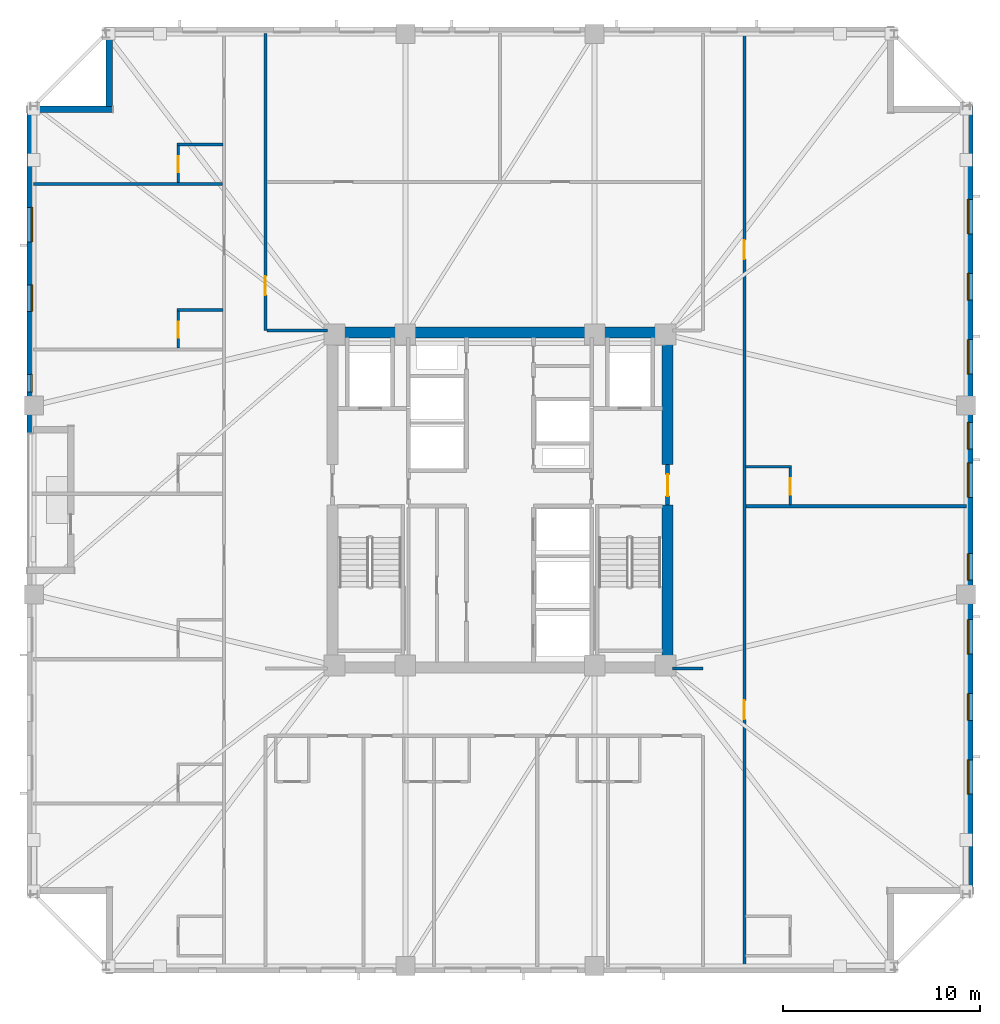
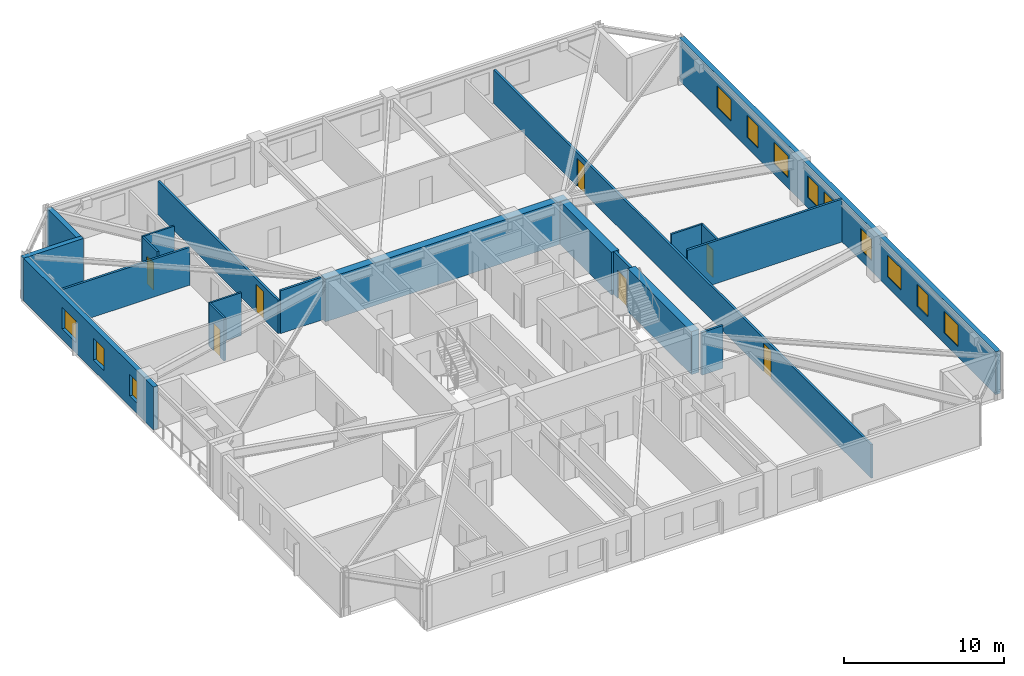
# One storey, part 5 of 11: 20 walls, 12 windows, 7 doors, 19 openings.
"""IFC4 building model written with IfcOpenShell, lengths in metres."""

from ifc_helpers import new_model, si_unit, direction, frame, frame_2d, origin, place, context, subcontext, project, spatial, rectangle, extrude, material, layer, layer_set, type_object, element, fill, save


model = new_model("IFC4")

# Units and contexts
model_context = context("Model", 3, precision=1e-05, world=origin(), true_north=direction((0.0, 1.0)))
body_context = subcontext(model_context, "Body", "Model", "MODEL_VIEW")
ifc_project = project(units=[si_unit("LENGTHUNIT", "METRE"), si_unit("AREAUNIT", "SQUARE_METRE"), si_unit("VOLUMEUNIT", "CUBIC_METRE"), si_unit("PLANEANGLEUNIT", "RADIAN"), si_unit("MASSUNIT", "GRAM", prefix="KILO")], contexts=[model_context])

# Site, building, storey
site_placement = place(None, origin())
site = spatial("IfcSite", under=ifc_project, at=site_placement, CompositionType="ELEMENT")
building_placement = place(site_placement, origin())
building = spatial("IfcBuilding", under=site, at=building_placement, Name="Cairnveth Concourse Tower", CompositionType="ELEMENT")
storey_placement = place(building_placement, frame((0.0, 0.0, 123.5)))
storey = spatial("IfcBuildingStorey", under=building, at=storey_placement, Name="L33", CompositionType="ELEMENT", Elevation=123.5)

# Wall, opening, door
ifc_material_1 = material(Name="Gypsum Plasterboard Partition", Category="gypsum")
ifc_layer_1 = layer(ifc_material_1, 0.159912109375)
ifc_layer_set_1 = layer_set([ifc_layer_1], Name="Gypsum Plasterboard Partition")
wall_type_1 = type_object("IfcWallType", Name="ACOUSTIC PARTY WALL 180", PredefinedType="PARTITIONING", material=ifc_layer_set_1)
wall_1_placement = place(storey_placement, frame((40.10009765625, 47.60009765625, 0.0), z_axis=(0.0, 0.0, 1.0), x_axis=(0.0, 1.0, 0.0)))
wall_1 = element("IfcWall", 1, at=wall_1_placement, inside=storey, type_object=wall_type_1, Name="Interior Wall IW-L33-039", PredefinedType="PARTITIONING", context=body_context, shape_type="SweptSolid", body=[
    extrude(rectangle(XDim=15.074951171875, YDim=0.159912109375, at=frame_2d((7.53759765625, 0.0))), origin(), (0.0, 0.0, 1.0), 2.554931640625),
])
opening_1_placement = place(wall_1_placement, frame((1.800048828125, 0.0, 0.0)))
opening_1 = element("IfcOpeningElement", 2, at=opening_1_placement, cuts=wall_1, Name="Opening ID11", PredefinedType="OPENING", context=body_context, shape_type="SweptSolid", body=[
    extrude(rectangle(XDim=0.9599609375, YDim=2.1201171875, at=frame_2d((0.47998046875, 1.06005859375))), frame((0.0, 0.08984375, 0.0), z_axis=(0.0, -1.0, 0.0), x_axis=(1.0, 0.0, 0.0)), (0.0, 0.0, 1.0), 0.179931640625),
])
ifc_material_2 = material(Name="Solid Core Hardwood Timber Leaf", Category="wood")
door_type_1 = type_object("IfcDoorType", Name="INTERIOR SINGLE DOOR 960X2150", OperationType="NOTDEFINED", PredefinedType="DOOR", material=ifc_material_2)
door_1_placement = place(opening_1_placement, origin())
door_1 = element("IfcDoor", 3, at=door_1_placement, inside=storey, type_object=door_type_1, Name="Interior Door DR-L33-016", OperationType="SINGLE_SWING_RIGHT", OverallHeight=2.1201171875, OverallWidth=0.9599609375, PredefinedType="DOOR", context=body_context, shape_type="SweptSolid", body=[
    extrude(rectangle(XDim=0.9599609375, YDim=2.1201171875, at=frame_2d((0.47998046875, 1.06005859375))), frame((0.0, 0.02490234375, 0.0), z_axis=(0.0, -1.0, 0.0), x_axis=(1.0, 0.0, 0.0)), (0.0, 0.0, 1.0), 0.050048828125),
])
fill(opening_1, door_1)

# Wall
wall_2_placement = place(storey_placement, frame((40.1650390625, 47.60009765625, 0.0), z_axis=(0.0, 0.0, 1.0), x_axis=(1.0, 0.0, 0.0)))
element("IfcWall", 4, at=wall_2_placement, inside=storey, type_object=wall_type_1, Name="Interior Wall IW-L33-041", PredefinedType="PARTITIONING", context=body_context, shape_type="SweptSolid", body=[
    extrude(rectangle(XDim=3.070068359375, YDim=0.159912109375, at=frame_2d((1.53515625, 0.0))), origin(), (0.0, 0.0, 1.0), 3.280029296875),
])

# Wall, openings, doors
wall_3_placement = place(storey_placement, frame((64.39990234375, 15.324951171875, 0.0), z_axis=(0.0, 0.0, 1.0), x_axis=(0.0, 1.0, 0.0)))
wall_3 = element("IfcWall", 5, at=wall_3_placement, inside=storey, type_object=wall_type_1, Name="Interior Wall IW-L33-042", PredefinedType="PARTITIONING", context=body_context, shape_type="SweptSolid", body=[
    extrude(rectangle(XDim=47.35009765625, YDim=0.159912109375, at=frame_2d((23.675048828125, 0.0))), origin(), (0.0, 0.0, 1.0), 2.554931640625),
])
opening_2_placement = place(wall_3_placement, frame((12.546630859375, 0.0, 0.0)))
opening_2 = element("IfcOpeningElement", 6, at=opening_2_placement, cuts=wall_3, Name="Opening ID09", PredefinedType="OPENING", context=body_context, shape_type="SweptSolid", body=[
    extrude(rectangle(XDim=0.9599609375, YDim=2.14990234375, at=frame_2d((0.47998046875, 1.074951171875))), frame((0.0, 0.08984375, 0.0), z_axis=(0.0, -1.0, 0.0), x_axis=(1.0, 0.0, 0.0)), (0.0, 0.0, 1.0), 0.179931640625),
])
opening_3_placement = place(wall_3_placement, frame((35.901611328125, 0.0, 0.0)))
opening_3 = element("IfcOpeningElement", 7, at=opening_3_placement, cuts=wall_3, Name="Opening ID09", PredefinedType="OPENING", context=body_context, shape_type="SweptSolid", body=[
    extrude(rectangle(XDim=0.9599609375, YDim=2.14990234375, at=frame_2d((0.47998046875, 1.074951171875))), frame((0.0, 0.08984375, 0.0), z_axis=(0.0, -1.0, 0.0), x_axis=(1.0, 0.0, 0.0)), (0.0, 0.0, 1.0), 0.179931640625),
])
door_type_2 = type_object("IfcDoorType", Name="HOTEL ENTRANCE DOOR 960X2150", OperationType="NOTDEFINED", PredefinedType="DOOR", material=ifc_material_2)
door_2_placement = place(opening_2_placement, origin())
door_2 = element("IfcDoor", 8, at=door_2_placement, inside=storey, type_object=door_type_2, Name="Hotel Room Door L33-E1", OperationType="SINGLE_SWING_RIGHT", OverallHeight=2.14990234375, OverallWidth=0.9599609375, PredefinedType="DOOR", context=body_context, shape_type="SweptSolid", body=[
    extrude(rectangle(XDim=0.9599609375, YDim=2.14990234375, at=frame_2d((0.47998046875, 1.074951171875))), frame((0.0, 0.02490234375, 0.0), z_axis=(0.0, -1.0, 0.0), x_axis=(1.0, 0.0, 0.0)), (0.0, 0.0, 1.0), 0.050048828125),
])
fill(opening_2, door_2)
door_3_placement = place(opening_3_placement, origin())
door_3 = element("IfcDoor", 9, at=door_3_placement, inside=storey, type_object=door_type_2, Name="Hotel Room Door L33-E2", OperationType="SINGLE_SWING_RIGHT", OverallHeight=2.14990234375, OverallWidth=0.9599609375, PredefinedType="DOOR", context=body_context, shape_type="SweptSolid", body=[
    extrude(rectangle(XDim=0.9599609375, YDim=2.14990234375, at=frame_2d((0.47998046875, 1.074951171875))), frame((0.0, 0.02490234375, 0.0), z_axis=(0.0, -1.0, 0.0), x_axis=(1.0, 0.0, 0.0)), (0.0, 0.0, 1.0), 0.050048828125),
])
fill(opening_3, door_3)

# Walls
wall_4_placement = place(storey_placement, frame((60.764892578125, 30.449951171875, 0.0), z_axis=(0.0, 0.0, 1.0), x_axis=(1.0, 0.0, 0.0)))
element("IfcWall", 10, at=wall_4_placement, inside=storey, type_object=wall_type_1, Name="Interior Wall IW-L33-045", PredefinedType="PARTITIONING", context=body_context, shape_type="SweptSolid", body=[
    extrude(rectangle(XDim=1.53515625, YDim=0.159912109375, at=frame_2d((0.767578125, 0.0))), origin(), (0.0, 0.0, 1.0), 3.280029296875),
])
wall_5_placement = place(storey_placement, frame((28.324951171875, 55.036865234375, 0.0), z_axis=(0.0, 0.0, 1.0), x_axis=(1.0, 0.0, 0.0)))
element("IfcWall", 11, at=wall_5_placement, inside=storey, type_object=wall_type_1, Name="Interior Wall IW-L33-080", PredefinedType="PARTITIONING", context=body_context, shape_type="SweptSolid", body=[
    extrude(rectangle(XDim=9.594970703125, YDim=0.159912109375, at=frame_2d((4.79736328125, 0.0))), origin(), (0.0, 0.0, 1.0), 2.89599609375),
])
wall_6_placement = place(storey_placement, frame((64.47998046875, 38.68310546875, 0.0), z_axis=(0.0, 0.0, 1.0), x_axis=(1.0, 0.0, 0.0)))
element("IfcWall", 12, at=wall_6_placement, inside=storey, type_object=wall_type_1, Name="Interior Wall IW-L33-086", PredefinedType="PARTITIONING", context=body_context, shape_type="SweptSolid", body=[
    extrude(rectangle(XDim=11.195068359375, YDim=0.159912109375, at=frame_2d((5.59765625, 0.0))), origin(), (0.0, 0.0, 1.0), 3.280029296875),
])
ifc_material_3 = material(Name="Concrete N80 (80 MPa)", Category="concrete")
ifc_layer_2 = layer(ifc_material_3, 0.550048828125)
ifc_layer_set_2 = layer_set([ifc_layer_2], Name="Concrete N80 (80 MPa)")
wall_type_2 = type_object("IfcWallType", Name="CORE SHEAR WALL 550", PredefinedType="SHEAR", material=ifc_layer_set_2)
wall_7_placement = place(storey_placement, frame((43.22509765625, 47.5, 0.0), z_axis=(0.0, 0.0, 1.0), x_axis=(1.0, 0.0, 0.0)))
element("IfcWall", 13, at=wall_7_placement, inside=storey, type_object=wall_type_2, Name="Core North Shear Wall L33", PredefinedType="SHEAR", context=body_context, shape_type="SweptSolid", body=[
    extrude(rectangle(XDim=17.5498046875, YDim=0.550048828125, at=frame_2d((8.77490234375, 0.0))), origin(), (0.0, 0.0, 1.0), 3.280029296875),
])
wall_8_placement = place(storey_placement, frame((60.5, 30.764892578125, 0.0), z_axis=(0.0, 0.0, 1.0), x_axis=(0.0, 1.0, 0.0)))
element("IfcWall", 14, at=wall_8_placement, inside=storey, type_object=wall_type_2, Name="Core East Shear Wall S L33", PredefinedType="SHEAR", context=body_context, shape_type="SweptSolid", body=[
    extrude(rectangle(XDim=7.985107421875, YDim=0.550048828125, at=frame_2d((3.99267578125, 0.0))), origin(), (0.0, 0.0, 1.0), 3.280029296875),
])
wall_9_placement = place(storey_placement, frame((60.5, 40.800048828125, 0.0), z_axis=(0.0, 0.0, 1.0), x_axis=(0.0, 1.0, 0.0)))
element("IfcWall", 15, at=wall_9_placement, inside=storey, type_object=wall_type_2, Name="Core East Shear Wall N L33", PredefinedType="SHEAR", context=body_context, shape_type="SweptSolid", body=[
    extrude(rectangle(XDim=6.43505859375, YDim=0.550048828125, at=frame_2d((3.217529296875, 0.0))), origin(), (0.0, 0.0, 1.0), 3.280029296875),
])

# Wall, opening, door
ifc_material_4 = material(Name="Concrete N50 (50 MPa)", Category="concrete")
ifc_layer_3 = layer(ifc_material_4, 0.199951171875)
ifc_layer_set_3 = layer_set([ifc_layer_3], Name="Concrete N50 (50 MPa)")
wall_type_3 = type_object("IfcWallType", Name="FIRE SHAFT WALL 200", PredefinedType="SOLIDWALL", material=ifc_layer_set_3)
wall_10_placement = place(storey_placement, frame((60.5, 38.75, 0.0), z_axis=(0.0, 0.0, 1.0), x_axis=(0.0, 1.0, 0.0)))
wall_10 = element("IfcWall", 16, at=wall_10_placement, inside=storey, type_object=wall_type_3, Name="Interior Wall IW-L33-020", PredefinedType="SOLIDWALL", context=body_context, shape_type="SweptSolid", body=[
    extrude(rectangle(XDim=2.050048828125, YDim=0.199951171875, at=frame_2d((1.02490234375, 0.0))), origin(), (0.0, 0.0, 1.0), 3.280029296875),
])
opening_4_placement = place(wall_10_placement, frame((0.449951171875, 0.0, 0.0)))
opening_4 = element("IfcOpeningElement", 17, at=opening_4_placement, cuts=wall_10, Name="Opening ID06", PredefinedType="OPENING", context=body_context, shape_type="SweptSolid", body=[
    extrude(rectangle(XDim=1.10009765625, YDim=2.14990234375, at=frame_2d((0.550048828125, 1.074951171875))), frame((0.0, 0.10986328125, 0.0), z_axis=(0.0, -1.0, 0.0), x_axis=(1.0, 0.0, 0.0)), (0.0, 0.0, 1.0), 0.219970703125),
])
ifc_material_5 = material(Name="Steel Grade 350", Category="steel")
door_type_3 = type_object("IfcDoorType", Name="FIRE CORRIDOR DOOR 1100X2150", OperationType="NOTDEFINED", PredefinedType="DOOR", material=ifc_material_5)
door_4_placement = place(opening_4_placement, origin())
door_4 = element("IfcDoor", 18, at=door_4_placement, inside=storey, type_object=door_type_3, Name="East Wing to FF Lobby Door L33", OperationType="SINGLE_SWING_RIGHT", OverallHeight=2.14990234375, OverallWidth=1.10009765625, PredefinedType="DOOR", context=body_context, shape_type="SweptSolid", body=[
    extrude(rectangle(XDim=1.10009765625, YDim=2.14990234375, at=frame_2d((0.550048828125, 1.074951171875))), frame((0.0, 0.02490234375, 0.0), z_axis=(0.0, -1.0, 0.0), x_axis=(1.0, 0.0, 0.0)), (0.0, 0.0, 1.0), 0.050048828125),
])
fill(opening_4, door_4)

# Wall
ifc_layer_4 = layer(ifc_material_1, 0.1298828125)
ifc_layer_set_4 = layer_set([ifc_layer_4], Name="Gypsum Plasterboard Partition")
wall_type_4 = type_object("IfcWallType", Name="WET AREA PARTITION 140", PredefinedType="PLUMBINGWALL", material=ifc_layer_set_4)
wall_11_placement = place(storey_placement, frame((35.6201171875, 48.640625, 0.0), z_axis=(0.0, 0.0, 1.0), x_axis=(1.0, 0.0, 0.0)))
element("IfcWall", 19, at=wall_11_placement, inside=storey, type_object=wall_type_4, Name="Interior Wall IW-L33-078", PredefinedType="PLUMBINGWALL", context=body_context, shape_type="SweptSolid", body=[
    extrude(rectangle(XDim=2.31494140625, YDim=0.1298828125, at=frame_2d((1.157470703125, 0.0))), origin(), (0.0, 0.0, 1.0), 3.280029296875),
])

# Wall, opening, door
wall_12_placement = place(storey_placement, frame((35.669921875, 46.70556640625, 0.0), z_axis=(0.0, 0.0, 1.0), x_axis=(0.0, 1.0, 0.0)))
wall_12 = element("IfcWall", 20, at=wall_12_placement, inside=storey, type_object=wall_type_4, Name="Interior Wall IW-L33-079", PredefinedType="PLUMBINGWALL", context=body_context, shape_type="SweptSolid", body=[
    extrude(rectangle(XDim=1.885009765625, YDim=0.1298828125, at=frame_2d((0.9423828125, 0.0))), origin(), (0.0, 0.0, 1.0), 3.280029296875),
])
opening_5_placement = place(wall_12_placement, frame((0.52490234375, 0.0, 0.0)))
opening_5 = element("IfcOpeningElement", 21, at=opening_5_placement, cuts=wall_12, Name="Opening ID22", PredefinedType="OPENING", context=body_context, shape_type="SweptSolid", body=[
    extrude(rectangle(XDim=0.820068359375, YDim=2.10009765625, at=frame_2d((0.41015625, 1.050048828125))), frame((0.0, 0.074951171875, 0.0), z_axis=(0.0, -1.0, 0.0), x_axis=(1.0, 0.0, 0.0)), (0.0, 0.0, 1.0), 0.14990234375),
])
door_type_4 = type_object("IfcDoorType", Name="INTERIOR WC DOOR 820X2100", OperationType="NOTDEFINED", PredefinedType="DOOR", material=ifc_material_2)
door_5_placement = place(opening_5_placement, origin())
door_5 = element("IfcDoor", 22, at=door_5_placement, inside=storey, type_object=door_type_4, Name="En-Suite Door L33-W5", OperationType="SINGLE_SWING_LEFT", OverallHeight=2.10009765625, OverallWidth=0.820068359375, PredefinedType="DOOR", context=body_context, shape_type="SweptSolid", body=[
    extrude(rectangle(XDim=0.820068359375, YDim=2.10009765625, at=frame_2d((0.41015625, 1.050048828125))), frame((0.0, 0.02490234375, 0.0), z_axis=(0.0, -1.0, 0.0), x_axis=(1.0, 0.0, 0.0)), (0.0, 0.0, 1.0), 0.050048828125),
])
fill(opening_5, door_5)

# Wall
wall_13_placement = place(storey_placement, frame((35.6201171875, 57.036865234375, 0.0), z_axis=(0.0, 0.0, 1.0), x_axis=(1.0, 0.0, 0.0)))
element("IfcWall", 23, at=wall_13_placement, inside=storey, type_object=wall_type_4, Name="Interior Wall IW-L33-081", PredefinedType="PLUMBINGWALL", context=body_context, shape_type="SweptSolid", body=[
    extrude(rectangle(XDim=2.31494140625, YDim=0.1298828125, at=frame_2d((1.157470703125, 0.0))), origin(), (0.0, 0.0, 1.0), 3.280029296875),
])

# Wall, opening, door
wall_14_placement = place(storey_placement, frame((35.669921875, 55.101806640625, 0.0), z_axis=(0.0, 0.0, 1.0), x_axis=(0.0, 1.0, 0.0)))
wall_14 = element("IfcWall", 24, at=wall_14_placement, inside=storey, type_object=wall_type_4, Name="Interior Wall IW-L33-082", PredefinedType="PLUMBINGWALL", context=body_context, shape_type="SweptSolid", body=[
    extrude(rectangle(XDim=1.885009765625, YDim=0.1298828125, at=frame_2d((0.9423828125, 0.0))), origin(), (0.0, 0.0, 1.0), 3.280029296875),
])
opening_6_placement = place(wall_14_placement, frame((0.52490234375, 0.0, 0.0)))
opening_6 = element("IfcOpeningElement", 25, at=opening_6_placement, cuts=wall_14, Name="Opening ID22", PredefinedType="OPENING", context=body_context, shape_type="SweptSolid", body=[
    extrude(rectangle(XDim=0.820068359375, YDim=2.10009765625, at=frame_2d((0.41015625, 1.050048828125))), frame((0.0, 0.074951171875, 0.0), z_axis=(0.0, -1.0, 0.0), x_axis=(1.0, 0.0, 0.0)), (0.0, 0.0, 1.0), 0.14990234375),
])
door_6_placement = place(opening_6_placement, origin())
door_6 = element("IfcDoor", 26, at=door_6_placement, inside=storey, type_object=door_type_4, Name="En-Suite Door L33-W6", OperationType="SINGLE_SWING_LEFT", OverallHeight=2.10009765625, OverallWidth=0.820068359375, PredefinedType="DOOR", context=body_context, shape_type="SweptSolid", body=[
    extrude(rectangle(XDim=0.820068359375, YDim=2.10009765625, at=frame_2d((0.41015625, 1.050048828125))), frame((0.0, 0.02490234375, 0.0), z_axis=(0.0, -1.0, 0.0), x_axis=(1.0, 0.0, 0.0)), (0.0, 0.0, 1.0), 0.050048828125),
])
fill(opening_6, door_6)

# Wall
wall_15_placement = place(storey_placement, frame((64.465087890625, 40.68310546875, 0.0), z_axis=(0.0, 0.0, 1.0), x_axis=(1.0, 0.0, 0.0)))
element("IfcWall", 27, at=wall_15_placement, inside=storey, type_object=wall_type_4, Name="Interior Wall IW-L33-087", PredefinedType="PLUMBINGWALL", context=body_context, shape_type="SweptSolid", body=[
    extrude(rectangle(XDim=2.31494140625, YDim=0.1298828125, at=frame_2d((1.157470703125, 0.0))), origin(), (0.0, 0.0, 1.0), 3.280029296875),
])

# Wall, opening, door
wall_16_placement = place(storey_placement, frame((66.72998046875, 38.748046875, 0.0), z_axis=(0.0, 0.0, 1.0), x_axis=(0.0, 1.0, 0.0)))
wall_16 = element("IfcWall", 28, at=wall_16_placement, inside=storey, type_object=wall_type_4, Name="Interior Wall IW-L33-088", PredefinedType="PLUMBINGWALL", context=body_context, shape_type="SweptSolid", body=[
    extrude(rectangle(XDim=1.885009765625, YDim=0.1298828125, at=frame_2d((0.9423828125, 0.0))), origin(), (0.0, 0.0, 1.0), 3.280029296875),
])
opening_7_placement = place(wall_16_placement, frame((0.52490234375, 0.0, 0.0)))
opening_7 = element("IfcOpeningElement", 29, at=opening_7_placement, cuts=wall_16, Name="Opening ID22", PredefinedType="OPENING", context=body_context, shape_type="SweptSolid", body=[
    extrude(rectangle(XDim=0.820068359375, YDim=2.10009765625, at=frame_2d((0.41015625, 1.050048828125))), frame((0.0, 0.074951171875, 0.0), z_axis=(0.0, -1.0, 0.0), x_axis=(1.0, 0.0, 0.0)), (0.0, 0.0, 1.0), 0.14990234375),
])
door_7_placement = place(opening_7_placement, origin())
door_7 = element("IfcDoor", 30, at=door_7_placement, inside=storey, type_object=door_type_4, Name="En-Suite Door L33-E2", OperationType="SINGLE_SWING_LEFT", OverallHeight=2.10009765625, OverallWidth=0.820068359375, PredefinedType="DOOR", context=body_context, shape_type="SweptSolid", body=[
    extrude(rectangle(XDim=0.820068359375, YDim=2.10009765625, at=frame_2d((0.41015625, 1.050048828125))), frame((0.0, 0.02490234375, 0.0), z_axis=(0.0, -1.0, 0.0), x_axis=(1.0, 0.0, 0.0)), (0.0, 0.0, 1.0), 0.050048828125),
])
fill(opening_7, door_7)

# Wall, openings, windows
ifc_material_6 = material(Name="Hawthorn Red-Ochre Fired Clay Brick Masonry", Category="masonry")
ifc_layer_5 = layer(ifc_material_6, 0.340087890625)
ifc_layer_set_5 = layer_set([ifc_layer_5], Name="Hawthorn Red-Ochre Fired Clay Brick Masonry")
wall_type_5 = type_object("IfcWallType", Name="ZONE 2 BRICK PIER SPANDREL WALL 340", PredefinedType="SOLIDWALL", material=ifc_layer_set_5)
wall_17_placement = place(storey_placement, frame((28.169921875, 42.39990234375, 0.0), z_axis=(0.0, 0.0, 1.0), x_axis=(0.0, 1.0, 0.0)))
wall_17 = element("IfcWall", 31, at=wall_17_placement, inside=storey, type_object=wall_type_5, Name="Exterior Wall EW-L33-S00", PredefinedType="SOLIDWALL", context=body_context, shape_type="SweptSolid", body=[
    extrude(rectangle(XDim=16.281982421875, YDim=0.340087890625, at=frame_2d((8.14111328125, 0.0))), origin(), (0.0, 0.0, 1.0), 3.280029296875),
])
opening_8_placement = place(wall_17_placement, frame((6.166015625, 0.0, 0.800048828125)))
opening_8 = element("IfcOpeningElement", 32, at=opening_8_placement, cuts=wall_17, Name="Opening W02", PredefinedType="OPENING", context=body_context, shape_type="SweptSolid", body=[
    extrude(rectangle(XDim=1.35009765625, YDim=1.659912109375, at=frame_2d((0.675048828125, 0.830078125))), frame((0.0, 0.179931640625, 0.0), z_axis=(0.0, -1.0, 0.0), x_axis=(1.0, 0.0, 0.0)), (0.0, 0.0, 1.0), 0.360107421875),
])
opening_9_placement = place(wall_17_placement, frame((9.693359375, 0.0, 0.800048828125)))
opening_9 = element("IfcOpeningElement", 33, at=opening_9_placement, cuts=wall_17, Name="Opening W06", PredefinedType="OPENING", context=body_context, shape_type="SweptSolid", body=[
    extrude(rectangle(XDim=1.75, YDim=1.659912109375, at=frame_2d((0.875, 0.830078125))), frame((0.0, 0.179931640625, 0.0), z_axis=(0.0, -1.0, 0.0), x_axis=(1.0, 0.0, 0.0)), (0.0, 0.0, 1.0), 0.360107421875),
])
opening_10_placement = place(wall_17_placement, frame((2.070068359375, 0.0, 0.800048828125)))
opening_10 = element("IfcOpeningElement", 34, at=opening_10_placement, cuts=wall_17, Name="Opening W13", PredefinedType="OPENING", context=body_context, shape_type="SweptSolid", body=[
    extrude(rectangle(XDim=0.89990234375, YDim=1.659912109375, at=frame_2d((0.449951171875, 0.830078125))), frame((0.0, 0.179931640625, 0.0), z_axis=(0.0, -1.0, 0.0), x_axis=(1.0, 0.0, 0.0)), (0.0, 0.0, 1.0), 0.360107421875),
])
ifc_material_7 = material(Name="Double Glazed Low-E Clear Glass", Category="glass")
window_type_1 = type_object("IfcWindowType", Name="DEEP-SET BEDROOM LANCET WINDOW 900X1750", PartitioningType="DOUBLE_PANEL_VERTICAL", PredefinedType="WINDOW", material=ifc_material_7)
window_1_placement = place(opening_10_placement, origin())
window_1 = element("IfcWindow", 35, at=window_1_placement, inside=storey, type_object=window_type_1, Name="Dwelling Lancet Window L33-DW3", OverallHeight=1.659912109375, OverallWidth=0.89990234375, PartitioningType="SINGLE_PANEL", PredefinedType="WINDOW", context=body_context, shape_type="SweptSolid", body=[
    extrude(rectangle(XDim=0.89990234375, YDim=1.659912109375, at=frame_2d((0.449951171875, 0.830078125))), frame((0.0, -0.0400390625, 0.0), z_axis=(0.0, -1.0, 0.0), x_axis=(1.0, 0.0, 0.0)), (0.0, 0.0, 1.0), 0.06005859375),
])
fill(opening_10, window_1)
window_type_2 = type_object("IfcWindowType", Name="DEEP-SET GOTHIC LANCET WINDOW 1350X1800", PartitioningType="DOUBLE_PANEL_VERTICAL", PredefinedType="WINDOW", material=ifc_material_7)
window_2_placement = place(opening_8_placement, origin())
window_2 = element("IfcWindow", 36, at=window_2_placement, inside=storey, type_object=window_type_2, Name="Gothic Lancet Window L33-0-2", OverallHeight=1.659912109375, OverallWidth=1.35009765625, PartitioningType="SINGLE_PANEL", PredefinedType="WINDOW", context=body_context, shape_type="SweptSolid", body=[
    extrude(rectangle(XDim=1.35009765625, YDim=1.659912109375, at=frame_2d((0.675048828125, 0.830078125))), frame((0.0, -0.050048828125, 0.0), z_axis=(0.0, -1.0, 0.0), x_axis=(1.0, 0.0, 0.0)), (0.0, 0.0, 1.0), 0.06005859375),
])
fill(opening_8, window_2)
window_type_3 = type_object("IfcWindowType", Name="DEEP-SET HOTEL SUITE WINDOW 1750X1800", PartitioningType="DOUBLE_PANEL_VERTICAL", PredefinedType="WINDOW", material=ifc_material_7)
window_3_placement = place(opening_9_placement, origin())
window_3 = element("IfcWindow", 37, at=window_3_placement, inside=storey, type_object=window_type_3, Name="Gothic Lancet Window L33-0-3", OverallHeight=1.659912109375, OverallWidth=1.75, PartitioningType="SINGLE_PANEL", PredefinedType="WINDOW", context=body_context, shape_type="SweptSolid", body=[
    extrude(rectangle(XDim=1.75, YDim=1.659912109375, at=frame_2d((0.875, 0.830078125))), frame((0.0, -0.050048828125, 0.0), z_axis=(0.0, -1.0, 0.0), x_axis=(1.0, 0.0, 0.0)), (0.0, 0.0, 1.0), 0.06005859375),
])
fill(opening_9, window_3)

# Walls
wall_18_placement = place(storey_placement, frame((28.0, 58.830078125, 0.0), z_axis=(0.0, 0.0, 1.0), x_axis=(1.0, 0.0, 0.0)))
element("IfcWall", 38, at=wall_18_placement, inside=storey, type_object=wall_type_5, Name="Exterior Wall EW-L33-S01", PredefinedType="SOLIDWALL", context=body_context, shape_type="SweptSolid", body=[
    extrude(rectangle(XDim=4.340087890625, YDim=0.340087890625, at=frame_2d((2.169921875, 0.0))), origin(), (0.0, 0.0, 1.0), 3.280029296875),
])
wall_19_placement = place(storey_placement, frame((32.169921875, 58.97802734375, 0.0), z_axis=(0.0, 0.0, 1.0), x_axis=(0.0, 1.0, 0.0)))
element("IfcWall", 39, at=wall_19_placement, inside=storey, type_object=wall_type_5, Name="Exterior Wall EW-L33-S02", PredefinedType="SOLIDWALL", context=body_context, shape_type="SweptSolid", body=[
    extrude(rectangle(XDim=3.703857421875, YDim=0.340087890625, at=frame_2d((1.85205078125, 0.0))), origin(), (0.0, 0.0, 1.0), 3.280029296875),
])

# Wall, openings, windows
wall_20_placement = place(storey_placement, frame((75.830078125, 59.0, 0.0), z_axis=(0.0, 0.0, 1.0), x_axis=(0.0, -1.0, 0.0)))
wall_20 = element("IfcWall", 40, at=wall_20_placement, inside=storey, type_object=wall_type_5, Name="Exterior Wall EW-L33-S06", PredefinedType="SOLIDWALL", context=body_context, shape_type="SweptSolid", body=[
    extrude(rectangle(XDim=39.681884765625, YDim=0.340087890625, at=frame_2d((19.8408203125, 0.0))), origin(), (0.0, 0.0, 1.0), 3.280029296875),
])
opening_11_placement = place(wall_20_placement, frame((4.751708984375, 0.0, 0.800048828125)))
opening_11 = element("IfcOpeningElement", 41, at=opening_11_placement, cuts=wall_20, Name="Opening W06", PredefinedType="OPENING", context=body_context, shape_type="SweptSolid", body=[
    extrude(rectangle(XDim=1.75, YDim=1.659912109375, at=frame_2d((0.875, 0.830078125))), frame((0.0, 0.179931640625, 0.0), z_axis=(0.0, -1.0, 0.0), x_axis=(1.0, 0.0, 0.0)), (0.0, 0.0, 1.0), 0.360107421875),
])
opening_12_placement = place(wall_20_placement, frame((8.50537109375, 0.0, 0.800048828125)))
opening_12 = element("IfcOpeningElement", 42, at=opening_12_placement, cuts=wall_20, Name="Opening W02", PredefinedType="OPENING", context=body_context, shape_type="SweptSolid", body=[
    extrude(rectangle(XDim=1.35009765625, YDim=1.659912109375, at=frame_2d((0.675048828125, 0.830078125))), frame((0.0, 0.179931640625, 0.0), z_axis=(0.0, -1.0, 0.0), x_axis=(1.0, 0.0, 0.0)), (0.0, 0.0, 1.0), 0.360107421875),
])
opening_13_placement = place(wall_20_placement, frame((11.85888671875, 0.0, 0.800048828125)))
opening_13 = element("IfcOpeningElement", 43, at=opening_13_placement, cuts=wall_20, Name="Opening W06", PredefinedType="OPENING", context=body_context, shape_type="SweptSolid", body=[
    extrude(rectangle(XDim=1.75, YDim=1.659912109375, at=frame_2d((0.875, 0.830078125))), frame((0.0, 0.179931640625, 0.0), z_axis=(0.0, -1.0, 0.0), x_axis=(1.0, 0.0, 0.0)), (0.0, 0.0, 1.0), 0.360107421875),
])
opening_14_placement = place(wall_20_placement, frame((16.0625, 0.0, 0.800048828125)))
opening_14 = element("IfcOpeningElement", 44, at=opening_14_placement, cuts=wall_20, Name="Opening W02", PredefinedType="OPENING", context=body_context, shape_type="SweptSolid", body=[
    extrude(rectangle(XDim=1.35009765625, YDim=1.659912109375, at=frame_2d((0.675048828125, 0.830078125))), frame((0.0, 0.179931640625, 0.0), z_axis=(0.0, -1.0, 0.0), x_axis=(1.0, 0.0, 0.0)), (0.0, 0.0, 1.0), 0.360107421875),
])
opening_15_placement = place(wall_20_placement, frame((18.115966796875, 0.0, 0.800048828125)))
opening_15 = element("IfcOpeningElement", 45, at=opening_15_placement, cuts=wall_20, Name="Opening W06", PredefinedType="OPENING", context=body_context, shape_type="SweptSolid", body=[
    extrude(rectangle(XDim=1.75, YDim=1.659912109375, at=frame_2d((0.875, 0.830078125))), frame((0.0, 0.179931640625, 0.0), z_axis=(0.0, -1.0, 0.0), x_axis=(1.0, 0.0, 0.0)), (0.0, 0.0, 1.0), 0.360107421875),
])
opening_16_placement = place(wall_20_placement, frame((22.719482421875, 0.0, 0.800048828125)))
opening_16 = element("IfcOpeningElement", 46, at=opening_16_placement, cuts=wall_20, Name="Opening W02", PredefinedType="OPENING", context=body_context, shape_type="SweptSolid", body=[
    extrude(rectangle(XDim=1.35009765625, YDim=1.659912109375, at=frame_2d((0.675048828125, 0.830078125))), frame((0.0, 0.179931640625, 0.0), z_axis=(0.0, -1.0, 0.0), x_axis=(1.0, 0.0, 0.0)), (0.0, 0.0, 1.0), 0.360107421875),
])
opening_17_placement = place(wall_20_placement, frame((26.072998046875, 0.0, 0.800048828125)))
opening_17 = element("IfcOpeningElement", 47, at=opening_17_placement, cuts=wall_20, Name="Opening W06", PredefinedType="OPENING", context=body_context, shape_type="SweptSolid", body=[
    extrude(rectangle(XDim=1.75, YDim=1.659912109375, at=frame_2d((0.875, 0.830078125))), frame((0.0, 0.179931640625, 0.0), z_axis=(0.0, -1.0, 0.0), x_axis=(1.0, 0.0, 0.0)), (0.0, 0.0, 1.0), 0.360107421875),
])
opening_18_placement = place(wall_20_placement, frame((29.82666015625, 0.0, 0.800048828125)))
opening_18 = element("IfcOpeningElement", 48, at=opening_18_placement, cuts=wall_20, Name="Opening W02", PredefinedType="OPENING", context=body_context, shape_type="SweptSolid", body=[
    extrude(rectangle(XDim=1.35009765625, YDim=1.659912109375, at=frame_2d((0.675048828125, 0.830078125))), frame((0.0, 0.179931640625, 0.0), z_axis=(0.0, -1.0, 0.0), x_axis=(1.0, 0.0, 0.0)), (0.0, 0.0, 1.0), 0.360107421875),
])
opening_19_placement = place(wall_20_placement, frame((33.18017578125, 0.0, 0.800048828125)))
opening_19 = element("IfcOpeningElement", 49, at=opening_19_placement, cuts=wall_20, Name="Opening W06", PredefinedType="OPENING", context=body_context, shape_type="SweptSolid", body=[
    extrude(rectangle(XDim=1.75, YDim=1.659912109375, at=frame_2d((0.875, 0.830078125))), frame((0.0, 0.179931640625, 0.0), z_axis=(0.0, -1.0, 0.0), x_axis=(1.0, 0.0, 0.0)), (0.0, 0.0, 1.0), 0.360107421875),
])
window_4_placement = place(opening_12_placement, origin())
window_4 = element("IfcWindow", 50, at=window_4_placement, inside=storey, type_object=window_type_2, Name="Gothic Lancet Window L33-6-2", OverallHeight=1.659912109375, OverallWidth=1.35009765625, PartitioningType="SINGLE_PANEL", PredefinedType="WINDOW", context=body_context, shape_type="SweptSolid", body=[
    extrude(rectangle(XDim=1.35009765625, YDim=1.659912109375, at=frame_2d((0.675048828125, 0.830078125))), frame((0.0, -0.050048828125, 0.0), z_axis=(0.0, -1.0, 0.0), x_axis=(1.0, 0.0, 0.0)), (0.0, 0.0, 1.0), 0.06005859375),
])
fill(opening_12, window_4)
window_5_placement = place(opening_14_placement, origin())
window_5 = element("IfcWindow", 51, at=window_5_placement, inside=storey, type_object=window_type_2, Name="Gothic Lancet Window L33-6-4", OverallHeight=1.659912109375, OverallWidth=1.35009765625, PartitioningType="SINGLE_PANEL", PredefinedType="WINDOW", context=body_context, shape_type="SweptSolid", body=[
    extrude(rectangle(XDim=1.35009765625, YDim=1.659912109375, at=frame_2d((0.675048828125, 0.830078125))), frame((0.0, -0.050048828125, 0.0), z_axis=(0.0, -1.0, 0.0), x_axis=(1.0, 0.0, 0.0)), (0.0, 0.0, 1.0), 0.06005859375),
])
fill(opening_14, window_5)
window_6_placement = place(opening_16_placement, origin())
window_6 = element("IfcWindow", 52, at=window_6_placement, inside=storey, type_object=window_type_2, Name="Gothic Lancet Window L33-6-6", OverallHeight=1.659912109375, OverallWidth=1.35009765625, PartitioningType="SINGLE_PANEL", PredefinedType="WINDOW", context=body_context, shape_type="SweptSolid", body=[
    extrude(rectangle(XDim=1.35009765625, YDim=1.659912109375, at=frame_2d((0.675048828125, 0.830078125))), frame((0.0, -0.050048828125, 0.0), z_axis=(0.0, -1.0, 0.0), x_axis=(1.0, 0.0, 0.0)), (0.0, 0.0, 1.0), 0.06005859375),
])
fill(opening_16, window_6)
window_7_placement = place(opening_18_placement, origin())
window_7 = element("IfcWindow", 53, at=window_7_placement, inside=storey, type_object=window_type_2, Name="Gothic Lancet Window L33-6-8", OverallHeight=1.659912109375, OverallWidth=1.35009765625, PartitioningType="SINGLE_PANEL", PredefinedType="WINDOW", context=body_context, shape_type="SweptSolid", body=[
    extrude(rectangle(XDim=1.35009765625, YDim=1.659912109375, at=frame_2d((0.675048828125, 0.830078125))), frame((0.0, -0.050048828125, 0.0), z_axis=(0.0, -1.0, 0.0), x_axis=(1.0, 0.0, 0.0)), (0.0, 0.0, 1.0), 0.06005859375),
])
fill(opening_18, window_7)
window_8_placement = place(opening_11_placement, origin())
window_8 = element("IfcWindow", 54, at=window_8_placement, inside=storey, type_object=window_type_3, Name="Gothic Lancet Window L33-6-1", OverallHeight=1.659912109375, OverallWidth=1.75, PartitioningType="SINGLE_PANEL", PredefinedType="WINDOW", context=body_context, shape_type="SweptSolid", body=[
    extrude(rectangle(XDim=1.75, YDim=1.659912109375, at=frame_2d((0.875, 0.830078125))), frame((0.0, -0.050048828125, 0.0), z_axis=(0.0, -1.0, 0.0), x_axis=(1.0, 0.0, 0.0)), (0.0, 0.0, 1.0), 0.06005859375),
])
fill(opening_11, window_8)
window_9_placement = place(opening_13_placement, origin())
window_9 = element("IfcWindow", 55, at=window_9_placement, inside=storey, type_object=window_type_3, Name="Gothic Lancet Window L33-6-3", OverallHeight=1.659912109375, OverallWidth=1.75, PartitioningType="SINGLE_PANEL", PredefinedType="WINDOW", context=body_context, shape_type="SweptSolid", body=[
    extrude(rectangle(XDim=1.75, YDim=1.659912109375, at=frame_2d((0.875, 0.830078125))), frame((0.0, -0.050048828125, 0.0), z_axis=(0.0, -1.0, 0.0), x_axis=(1.0, 0.0, 0.0)), (0.0, 0.0, 1.0), 0.06005859375),
])
fill(opening_13, window_9)
window_10_placement = place(opening_15_placement, origin())
window_10 = element("IfcWindow", 56, at=window_10_placement, inside=storey, type_object=window_type_3, Name="Gothic Lancet Window L33-6-5", OverallHeight=1.659912109375, OverallWidth=1.75, PartitioningType="SINGLE_PANEL", PredefinedType="WINDOW", context=body_context, shape_type="SweptSolid", body=[
    extrude(rectangle(XDim=1.75, YDim=1.659912109375, at=frame_2d((0.875, 0.830078125))), frame((0.0, -0.050048828125, 0.0), z_axis=(0.0, -1.0, 0.0), x_axis=(1.0, 0.0, 0.0)), (0.0, 0.0, 1.0), 0.06005859375),
])
fill(opening_15, window_10)
window_11_placement = place(opening_17_placement, origin())
window_11 = element("IfcWindow", 57, at=window_11_placement, inside=storey, type_object=window_type_3, Name="Gothic Lancet Window L33-6-7", OverallHeight=1.659912109375, OverallWidth=1.75, PartitioningType="SINGLE_PANEL", PredefinedType="WINDOW", context=body_context, shape_type="SweptSolid", body=[
    extrude(rectangle(XDim=1.75, YDim=1.659912109375, at=frame_2d((0.875, 0.830078125))), frame((0.0, -0.050048828125, 0.0), z_axis=(0.0, -1.0, 0.0), x_axis=(1.0, 0.0, 0.0)), (0.0, 0.0, 1.0), 0.06005859375),
])
fill(opening_17, window_11)
window_12_placement = place(opening_19_placement, origin())
window_12 = element("IfcWindow", 58, at=window_12_placement, inside=storey, type_object=window_type_3, Name="Gothic Lancet Window L33-6-9", OverallHeight=1.659912109375, OverallWidth=1.75, PartitioningType="SINGLE_PANEL", PredefinedType="WINDOW", context=body_context, shape_type="SweptSolid", body=[
    extrude(rectangle(XDim=1.75, YDim=1.659912109375, at=frame_2d((0.875, 0.830078125))), frame((0.0, -0.050048828125, 0.0), z_axis=(0.0, -1.0, 0.0), x_axis=(1.0, 0.0, 0.0)), (0.0, 0.0, 1.0), 0.06005859375),
])
fill(opening_19, window_12)

save(model, "model.ifc")
